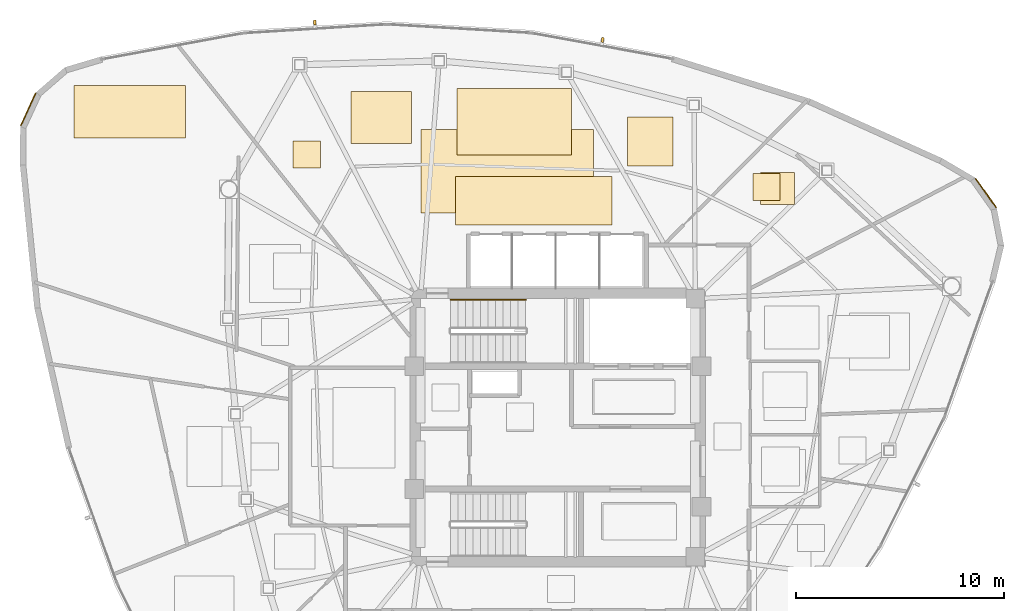
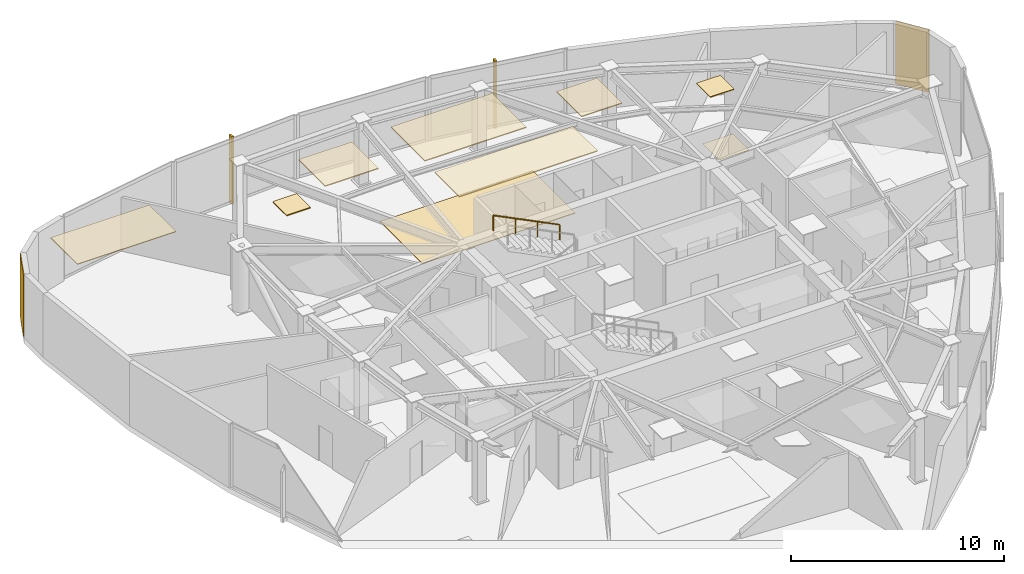
# One storey, part 13 of 13: 11 coverings, 2 shading devices, 1 railing.
"""IFC4 building model written with IfcOpenShell, lengths in metres."""

from ifc_helpers import new_model, si_unit, direction, frame, origin, origin_2d, place, context, subcontext, project, spatial, polyline, rectangle, outline, extrude, source, transform, mapped, material, layer, layer_set, type_object, type_shapes, element, save


model = new_model("IFC4")

# Units and contexts
model_context = context("Model", 3, precision=1e-05, world=origin(), true_north=direction((0.0, 1.0)))
body_context = subcontext(model_context, "Body", "Model", "MODEL_VIEW")
ifc_project = project(units=[si_unit("LENGTHUNIT", "METRE"), si_unit("AREAUNIT", "SQUARE_METRE"), si_unit("VOLUMEUNIT", "CUBIC_METRE"), si_unit("PLANEANGLEUNIT", "RADIAN"), si_unit("MASSUNIT", "GRAM", prefix="KILO")], contexts=[model_context])

# Site, building, storey
site_placement = place(None, origin())
site = spatial("IfcSite", under=ifc_project, at=site_placement, CompositionType="ELEMENT")
building_placement = place(site_placement, origin())
building = spatial("IfcBuilding", under=site, at=building_placement, Name="Tavelor Broadcast Tower", CompositionType="ELEMENT")
storey_placement = place(building_placement, frame((0.0, 0.0, 265.60009765625)))
storey = spatial("IfcBuildingStorey", under=building, at=storey_placement, Name="L63", CompositionType="ELEMENT", Elevation=265.60009765625)

# Coverings
ifc_material_1 = material(Name="Copper-Bronze Anodized Aluminium", Category="aluminium")
ifc_layer_1 = layer(ifc_material_1, 0.050048828125)
ifc_layer_set_1 = layer_set([ifc_layer_1], Name="Copper-Bronze Anodized Aluminium")
covering_type_1 = type_object("IfcCoveringType", Name="Champagne-Bronze Corner Pier Metal Cladding 50 mm", PredefinedType="CLADDING", material=ifc_layer_set_1)
for number, where, z_axis, x_axis, name in (
    (1, (24.5537109375, 60.289306640625, 0.02001953125), (0.0, 0.0, 1.0), (-0.418659737537, -0.908143173825, 0.0), "L63 Champagne-Bronze Corner Cladding 03"),
    (2, (70.56396484375, 56.274658203125, 0.02001953125), (0.0, 0.0, 1.0), (-0.577145190037, 0.816641555162, 0.0), "L63 Champagne-Bronze Corner Cladding 23"),
):
    element("IfcCovering", number, at=place(storey_placement, frame(where, z_axis=z_axis, x_axis=x_axis)), inside=storey, type_object=covering_type_1, Name=name, PredefinedType="CLADDING", context=body_context, shape_type="SweptSolid", body=[
        extrude(rectangle(XDim=1.72119140625, YDim=0.050048828125, at=origin_2d()), origin(), (0.0, 0.0, 1.0), 3.610107421875),
    ])

# Railing
ifc_material_2 = material(Name="Steel S355", Category="steel")
railing_type = type_object("IfcRailingType", Name="Continuous Brushed Stainless Handrail 900 mm", PredefinedType="HANDRAIL", material=ifc_material_2)
railing_placement = place(storey_placement, frame((48.449951171875, 51.14990234375, 2.154541015625)))
element("IfcRailing", 3, at=railing_placement, inside=storey, type_object=railing_type, Name="L63 ST1 stair handrail 2", PredefinedType="HANDRAIL", context=body_context, shape_type="SweptSolid", body=[
    extrude(rectangle(XDim=0.048095703125, YDim=0.048095703125, at=origin_2d()), frame((0.0, 0.0, 0.8759765625), z_axis=(-0.894875846893, 0.0, 0.446315156192), x_axis=(0.0, -1.0, 0.0)), (0.0, 0.0, 1.0), 4.022705078125),
    extrude(rectangle(XDim=0.0419921875, YDim=0.0419921875, at=origin_2d()), origin(), (0.0, 0.0, 1.0), 0.851806640625),
    extrude(rectangle(XDim=0.0419921875, YDim=0.0419921875, at=origin_2d()), frame((-1.199951171875, 0.0, 0.598388671875)), (0.0, 0.0, 1.0), 0.851806640625),
    extrude(rectangle(XDim=0.0419921875, YDim=0.0419921875, at=origin_2d()), frame((-2.39990234375, 0.0, 1.197021484375)), (0.0, 0.0, 1.0), 0.851806640625),
    extrude(rectangle(XDim=0.0419921875, YDim=0.0419921875, at=origin_2d()), frame((-3.599853515625, 0.0, 1.79541015625)), (0.0, 0.0, 1.0), 0.851806640625),
])

# Coverings
ifc_material_3 = material(Name="Acoustic Nylon Carpet Tile")
ifc_layer_2 = layer(ifc_material_3, 0.02001953125)
ifc_layer_set_2 = layer_set([ifc_layer_2], Name="Acoustic Nylon Carpet Tile")
covering_type_2 = type_object("IfcCoveringType", Name="Heavy-Duty Acoustic Broadcast Carpet Tile 20 mm", PredefinedType="FLOORING", material=ifc_layer_set_2)
covering_1_placement = place(storey_placement, origin())
element("IfcCovering", 4, at=covering_1_placement, inside=storey, type_object=covering_type_2, Name="L63 Broadcast Floor Finish 0944", PredefinedType="FLOORING", context=body_context, shape_type="SweptSolid", body=[
    extrude(outline(polyline([(59.738525390625, 55.718505859375), (61.3759765625, 55.718505859375), (61.3759765625, 57.259765625), (59.738525390625, 57.259765625), (59.738525390625, 55.718505859375)])), origin(), (0.0, 0.0, 1.0), 0.02001953125),
])
ifc_material_4 = material(Name="Acoustic Hardwood Studio Flooring", Category="wood")
ifc_layer_3 = layer(ifc_material_4, 0.034912109375)
ifc_layer_set_3 = layer_set([ifc_layer_3], Name="Acoustic Hardwood Studio Flooring")
covering_type_3 = type_object("IfcCoveringType", Name="Isolated Studio Acoustic Elastomeric Floor Finish 35 mm", PredefinedType="FLOORING", material=ifc_layer_set_3)
covering_2_placement = place(storey_placement, origin())
element("IfcCovering", 5, at=covering_2_placement, inside=storey, type_object=covering_type_3, Name="L63 Broadcast Floor Finish 0943", PredefinedType="FLOORING", context=body_context, shape_type="SweptSolid", body=[
    extrude(outline(polyline([(43.415771484375, 55.326416015625), (51.70849609375, 55.326416015625), (51.70849609375, 59.3173828125), (43.415771484375, 59.3173828125), (43.415771484375, 55.326416015625)])), origin(), (0.0, 0.0, 1.0), 0.034912109375),
])
ifc_material_5 = material(Name="Acoustic Perforated Timber Baffle", Category="wood")
ifc_layer_4 = layer(ifc_material_5, 0.054931640625)
ifc_layer_set_4 = layer_set([ifc_layer_4], Name="Acoustic Perforated Timber Baffle")
covering_type_4 = type_object("IfcCoveringType", Name="Micro-Perforated Acoustic Baffle Studio Ceiling 55 mm", PredefinedType="CEILING", material=ifc_layer_set_4)
covering_3_placement = place(storey_placement, frame((0.0, 0.0, 3.594970703125)))
element("IfcCovering", 6, at=covering_3_placement, inside=storey, type_object=covering_type_4, Name="L63 Suspended Acoustic Ceiling 2465", PredefinedType="CEILING", context=body_context, shape_type="SweptSolid", body=[
    extrude(outline(polyline([(45.0771484375, 54.745849609375), (52.59130859375, 54.745849609375), (52.59130859375, 57.0673828125), (45.0771484375, 57.0673828125), (45.0771484375, 54.745849609375)])), origin(), (0.0, 0.0, 1.0), 0.054931640625),
])
covering_4_placement = place(storey_placement, frame((0.0, 0.0, 3.594970703125)))
element("IfcCovering", 7, at=covering_4_placement, inside=storey, type_object=covering_type_4, Name="L63 Suspended Acoustic Ceiling 2466", PredefinedType="CEILING", context=body_context, shape_type="SweptSolid", body=[
    extrude(outline(polyline([(37.28369140625, 57.473388671875), (38.583740234375, 57.473388671875), (38.583740234375, 58.7734375), (37.28369140625, 58.7734375), (37.28369140625, 57.473388671875)])), origin(), (0.0, 0.0, 1.0), 0.054931640625),
])
covering_5_placement = place(storey_placement, frame((0.0, 0.0, 3.594970703125)))
element("IfcCovering", 8, at=covering_5_placement, inside=storey, type_object=covering_type_4, Name="L63 Suspended Acoustic Ceiling 2467", PredefinedType="CEILING", context=body_context, shape_type="SweptSolid", body=[
    extrude(outline(polyline([(53.34716796875, 57.56591796875), (55.541259765625, 57.56591796875), (55.541259765625, 59.923583984375), (53.34716796875, 59.923583984375), (53.34716796875, 57.56591796875)])), origin(), (0.0, 0.0, 1.0), 0.054931640625),
])
covering_6_placement = place(storey_placement, frame((0.0, 0.0, 3.594970703125)))
element("IfcCovering", 9, at=covering_6_placement, inside=storey, type_object=covering_type_4, Name="L63 Suspended Acoustic Ceiling 2468", PredefinedType="CEILING", context=body_context, shape_type="SweptSolid", body=[
    extrude(outline(polyline([(45.152587890625, 58.102783203125), (50.654541015625, 58.102783203125), (50.654541015625, 61.3037109375), (45.152587890625, 61.3037109375), (45.152587890625, 58.102783203125)])), origin(), (0.0, 0.0, 1.0), 0.054931640625),
])
covering_7_placement = place(storey_placement, frame((0.0, 0.0, 3.594970703125)))
element("IfcCovering", 10, at=covering_7_placement, inside=storey, type_object=covering_type_4, Name="L63 Suspended Acoustic Ceiling 2469", PredefinedType="CEILING", context=body_context, shape_type="SweptSolid", body=[
    extrude(outline(polyline([(40.0498046875, 58.655029296875), (42.9560546875, 58.655029296875), (42.9560546875, 61.15478515625), (40.0498046875, 61.15478515625), (40.0498046875, 58.655029296875)])), origin(), (0.0, 0.0, 1.0), 0.054931640625),
])
ifc_material_6 = material(Name="Acoustic Mineral Fibre Tile")
ifc_layer_5 = layer(ifc_material_6, 0.0400390625)
ifc_layer_set_5 = layer_set([ifc_layer_5], Name="Acoustic Mineral Fibre Tile")
covering_type_5 = type_object("IfcCoveringType", Name="Suspended Acoustic Mineral-Fibre Office Ceiling 40 mm", PredefinedType="CEILING", material=ifc_layer_set_5)
covering_8_placement = place(storey_placement, frame((0.0, 0.0, 3.60986328125)))
element("IfcCovering", 11, at=covering_8_placement, inside=storey, type_object=covering_type_5, Name="L63 Suspended Acoustic Ceiling 2462", PredefinedType="CEILING", context=body_context, shape_type="SweptSolid", body=[
    extrude(outline(polyline([(26.758544921875, 58.922119140625), (32.114990234375, 58.922119140625), (32.114990234375, 61.433837890625), (26.758544921875, 61.433837890625), (26.758544921875, 58.922119140625)])), origin(), (0.0, 0.0, 1.0), 0.0400390625),
])
covering_9_placement = place(storey_placement, frame((0.0, 0.0, 3.60986328125)))
element("IfcCovering", 12, at=covering_9_placement, inside=storey, type_object=covering_type_5, Name="L63 Suspended Acoustic Ceiling 2470", PredefinedType="CEILING", context=body_context, shape_type="SweptSolid", body=[
    extrude(outline(polyline([(59.376220703125, 55.91552734375), (60.67626953125, 55.91552734375), (60.67626953125, 57.215576171875), (59.376220703125, 57.215576171875), (59.376220703125, 55.91552734375)])), origin(), (0.0, 0.0, 1.0), 0.0400390625),
])

# Shading devices
ifc_material_7 = material(Name="Kiln-Fired Glazed Terracotta", Category="masonry")
shading_device_type = type_object("IfcShadingDeviceType", Name="Extruded Terracotta Baguette Sun-Screen 110x240", PredefinedType="JALOUSIE", material=ifc_material_7)
shared_shape = source(origin(), body_context, "Body", "SweptSolid", [
    extrude(rectangle(XDim=0.110107421875, YDim=0.239990234375, at=origin_2d()), origin(), (0.0, 0.0, 1.0), 3.889892578125),
])
type_shapes(shading_device_type, [shared_shape])
for number, where, z_axis, x_axis, name in (
    (13, (52.150390625, 63.6376953125, -0.26025390625), (0.0, 0.0, 1.0), (-0.983634423958, 0.180175803048, 0.0), "L63 Terracotta Baguette Fin 653"),
    (14, (38.322265625, 64.465087890625, -0.26025390625), (0.0, 0.0, 1.0), (-0.998102696661, -0.061571153301, 0.0), "L63 Terracotta Baguette Fin 654"),
):
    element("IfcShadingDevice", number, at=place(storey_placement, frame(where, z_axis=z_axis, x_axis=x_axis)), inside=storey, type_object=shading_device_type, Name=name, PredefinedType="JALOUSIE", context=body_context, shape_type="MappedRepresentation", body=[
        mapped(shared_shape, transform((0.0, 0.0, 0.0), scale=1.0)),
    ])

save(model, "model.ifc")
